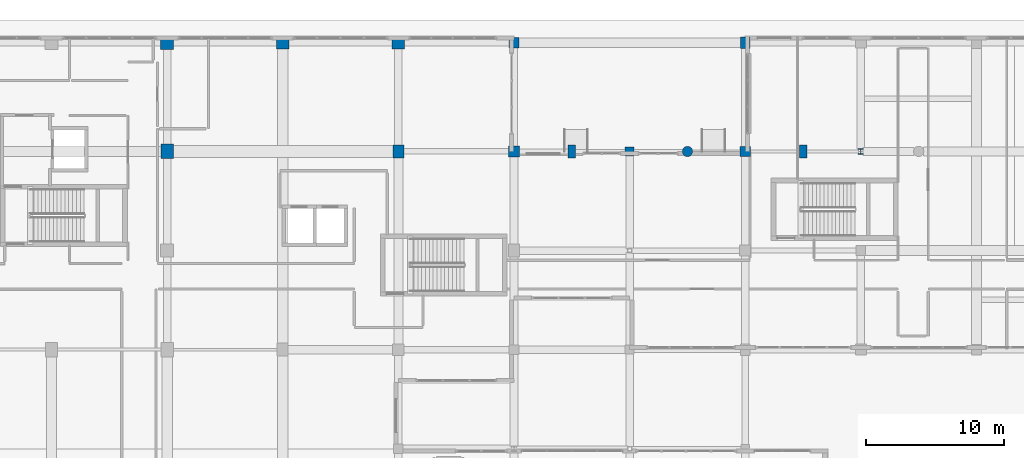
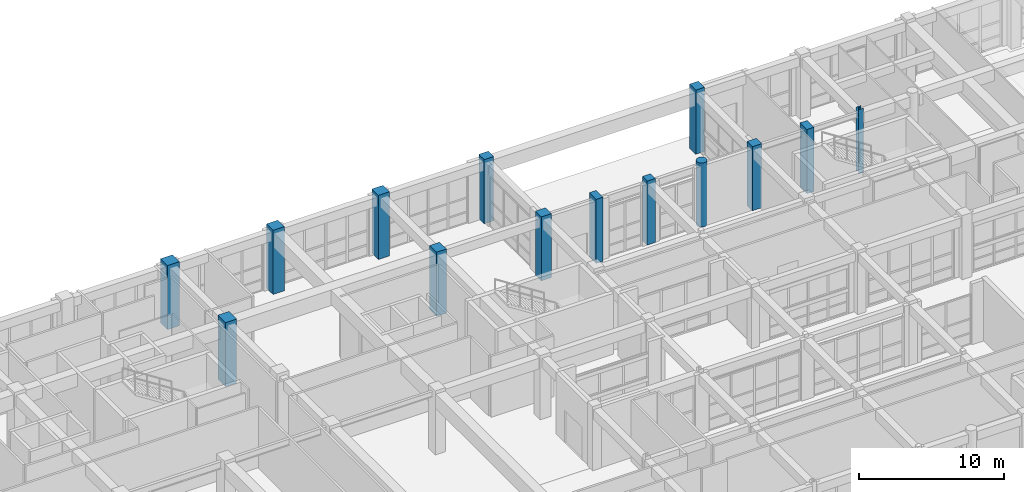
# One storey, part 12 of 148: 14 columns.
"""IFC4 building model written with IfcOpenShell, lengths in metres."""

from ifc_helpers import new_model, si_unit, direction, frame, origin, origin_2d, place, context, subcontext, project, spatial, rectangle, circle, i_section, extrude, material, material_profile, profile_set, type_object, element, save


model = new_model("IFC4")

# Units and contexts
model_context = context("Model", 3, precision=1e-05, world=origin(), true_north=direction((0.0, 1.0)))
body_context = subcontext(model_context, "Body", "Model", "MODEL_VIEW")
ifc_project = project(units=[si_unit("LENGTHUNIT", "METRE"), si_unit("AREAUNIT", "SQUARE_METRE"), si_unit("VOLUMEUNIT", "CUBIC_METRE"), si_unit("PLANEANGLEUNIT", "RADIAN"), si_unit("MASSUNIT", "GRAM", prefix="KILO")], contexts=[model_context])

# Site, building, storey
site_placement = place(None, origin())
site = spatial("IfcSite", under=ifc_project, at=site_placement, CompositionType="ELEMENT")
building_placement = place(site_placement, origin())
building = spatial("IfcBuilding", under=site, at=building_placement, Name="Quendrovan Civic Courthouse", CompositionType="ELEMENT")
storey_placement = place(building_placement, origin())
storey = spatial("IfcBuildingStorey", under=building, at=storey_placement, Name="L01", CompositionType="ELEMENT", Elevation=0.0)

# Columns
ifc_material_1 = material(Name="Precast concrete C45/55", Category="concrete")
ifc_material_profile_1 = material_profile(ifc_material_1, circle(Radius=0.375, at=origin_2d()), Name="RC-ARCADE-D750")
ifc_profile_set_1 = profile_set([ifc_material_profile_1], Name="Precast concrete C45/55")
column_type_1 = type_object("IfcColumnType", Name="COL-ARC750", PredefinedType="PILASTER", material=ifc_profile_set_1)
column_1_placement = place(storey_placement, frame((105.0, 102.0, 0.0), z_axis=(0.0, 0.0, 1.0), x_axis=(1.0, 0.0, 0.0)))
element("IfcColumn", 1, at=column_1_placement, inside=storey, type_object=column_type_1, Name="L01 Column PIL-N4", PredefinedType="PILASTER", context=body_context, shape_type="SweptSolid", body=[
    extrude(circle(Radius=0.375, at=origin_2d()), origin(), (0.0, 0.0, 1.0), 5.39990234375),
])
ifc_material_2 = material(Name="Concrete C45/55", Category="concrete")
ifc_material_profile_2 = material_profile(ifc_material_2, rectangle(XDim=0.550048828125, YDim=0.949951171875, at=origin_2d()), Name="RC-PIER-550x950")
ifc_profile_set_2 = profile_set([ifc_material_profile_2], Name="Concrete C45/55")
column_type_2 = type_object("IfcColumnType", Name="COL-PIER950", PredefinedType="PILASTER", material=ifc_profile_set_2)
for number, where, z_axis, x_axis, name in (
    (2, (96.60009765625, 102.0, 0.0), (0.0, 0.0, 1.0), (1.0, 0.0, 0.0), "L01 Column PIL-N3"),
    (3, (113.39990234375, 102.0, 0.0), (0.0, 0.0, 1.0), (1.0, 0.0, 0.0), "L01 Column PIL-N5"),
):
    element("IfcColumn", number, at=place(storey_placement, frame(where, z_axis=z_axis, x_axis=x_axis)), inside=storey, type_object=column_type_2, Name=name, PredefinedType="PILASTER", context=body_context, shape_type="SweptSolid", body=[
        extrude(rectangle(XDim=0.550048828125, YDim=0.949951171875, at=origin_2d()), origin(), (0.0, 0.0, 1.0), 5.39990234375),
    ])
ifc_material_3 = material(Name="Concrete C40/50", Category="concrete")
ifc_material_profile_3 = material_profile(ifc_material_3, rectangle(XDim=0.699951171875, YDim=0.85009765625, at=origin_2d()), Name="RC-COL-700x850")
ifc_profile_set_3 = profile_set([ifc_material_profile_3], Name="Concrete C40/50")
column_type_3 = type_object("IfcColumnType", Name="COL-RC-700x850", PredefinedType="COLUMN", material=ifc_profile_set_3)
column_2_placement = place(storey_placement, frame((109.199951171875, 109.89990234375, 0.0), z_axis=(0.0, 0.0, 1.0), x_axis=(1.0, 0.0, 0.0)))
element("IfcColumn", 4, at=column_2_placement, inside=storey, type_object=column_type_3, Name="L01 Column 14-Q", PredefinedType="COLUMN", context=body_context, shape_type="SweptSolid", body=[
    extrude(rectangle(XDim=0.699951171875, YDim=0.85009765625, at=origin_2d()), origin(), (0.0, 0.0, 1.0), 5.39990234375),
])
ifc_material_profile_4 = material_profile(ifc_material_2, rectangle(XDim=0.800048828125, YDim=0.949951171875, at=origin_2d()), Name="RC-COL-800x950")
ifc_profile_set_4 = profile_set([ifc_material_profile_4], Name="Concrete C45/55")
column_type_4 = type_object("IfcColumnType", Name="COL-RC-800x950", PredefinedType="COLUMN", material=ifc_profile_set_4)
column_3_placement = place(storey_placement, frame((84.0, 102.0, 0.0), z_axis=(0.0, 0.0, 1.0), x_axis=(1.0, 0.0, 0.0)))
element("IfcColumn", 5, at=column_3_placement, inside=storey, type_object=column_type_4, Name="L01 Column 11-P", PredefinedType="COLUMN", context=body_context, shape_type="SweptSolid", body=[
    extrude(rectangle(XDim=0.800048828125, YDim=0.949951171875, at=origin_2d()), origin(), (0.0, 0.0, 1.0), 5.39990234375),
])
ifc_material_profile_5 = material_profile(ifc_material_2, rectangle(XDim=0.89990234375, YDim=1.050048828125, at=origin_2d()), Name="RC-COL-900x1050")
ifc_profile_set_5 = profile_set([ifc_material_profile_5], Name="Concrete C45/55")
column_type_5 = type_object("IfcColumnType", Name="COL-RC-900x1050", PredefinedType="COLUMN", material=ifc_profile_set_5)
column_4_placement = place(storey_placement, frame((67.199951171875, 102.0, 0.0), z_axis=(0.0, 0.0, 1.0), x_axis=(1.0, 0.0, 0.0)))
element("IfcColumn", 6, at=column_4_placement, inside=storey, type_object=column_type_5, Name="L01 Column 9-P", PredefinedType="COLUMN", context=body_context, shape_type="SweptSolid", body=[
    extrude(rectangle(XDim=0.89990234375, YDim=1.050048828125, at=origin_2d()), origin(), (0.0, 0.0, 1.0), 5.39990234375),
])
ifc_material_profile_6 = material_profile(ifc_material_2, rectangle(XDim=0.64990234375, YDim=0.64990234375, at=origin_2d()), Name="RC-COL-650x650")
ifc_profile_set_6 = profile_set([ifc_material_profile_6], Name="Concrete C45/55")
column_type_6 = type_object("IfcColumnType", Name="COL-RC650", PredefinedType="COLUMN", material=ifc_profile_set_6)
column_5_placement = place(storey_placement, frame((100.800048828125, 102.0, 0.0), z_axis=(0.0, 0.0, 1.0), x_axis=(1.0, 0.0, 0.0)))
element("IfcColumn", 7, at=column_5_placement, inside=storey, type_object=column_type_6, Name="L01 Column 13-P", PredefinedType="COLUMN", context=body_context, shape_type="SweptSolid", body=[
    extrude(rectangle(XDim=0.64990234375, YDim=0.64990234375, at=origin_2d()), origin(), (0.0, 0.0, 1.0), 5.39990234375),
])
ifc_material_profile_7 = material_profile(ifc_material_2, rectangle(XDim=0.75, YDim=0.75, at=origin_2d()), Name="RC-COL-750x750")
ifc_profile_set_7 = profile_set([ifc_material_profile_7], Name="Concrete C45/55")
column_type_7 = type_object("IfcColumnType", Name="COL-RC750", PredefinedType="COLUMN", material=ifc_profile_set_7)
for number, where, z_axis, x_axis, name in (
    (8, (92.39990234375, 109.89990234375, 0.0), (0.0, 0.0, 1.0), (1.0, 0.0, 0.0), "L01 Column 12-Q"),
    (9, (109.199951171875, 102.0, 0.0), (0.0, 0.0, 1.0), (1.0, 0.0, 0.0), "L01 Column 14-P"),
):
    element("IfcColumn", number, at=place(storey_placement, frame(where, z_axis=z_axis, x_axis=x_axis)), inside=storey, type_object=column_type_7, Name=name, PredefinedType="COLUMN", context=body_context, shape_type="SweptSolid", body=[
        extrude(rectangle(XDim=0.75, YDim=0.75, at=origin_2d()), origin(), (0.0, 0.0, 1.0), 5.39990234375),
    ])
ifc_material_profile_8 = material_profile(ifc_material_2, rectangle(XDim=0.800048828125, YDim=0.800048828125, at=origin_2d()), Name="RC-COL-800x800")
ifc_profile_set_8 = profile_set([ifc_material_profile_8], Name="Concrete C45/55")
column_type_8 = type_object("IfcColumnType", Name="COL-RC800", PredefinedType="COLUMN", material=ifc_profile_set_8)
column_6_placement = place(storey_placement, frame((92.39990234375, 102.0, 0.0), z_axis=(0.0, 0.0, 1.0), x_axis=(1.0, 0.0, 0.0)))
element("IfcColumn", 10, at=column_6_placement, inside=storey, type_object=column_type_8, Name="L01 Column 12-P", PredefinedType="COLUMN", context=body_context, shape_type="SweptSolid", body=[
    extrude(rectangle(XDim=0.800048828125, YDim=0.800048828125, at=origin_2d()), origin(), (0.0, 0.0, 1.0), 5.39990234375),
])
ifc_material_profile_9 = material_profile(ifc_material_2, rectangle(XDim=0.89990234375, YDim=0.89990234375, at=origin_2d()), Name="RC-COL-900x900")
ifc_profile_set_9 = profile_set([ifc_material_profile_9], Name="Concrete C45/55")
column_type_9 = type_object("IfcColumnType", Name="COL-RC900", PredefinedType="COLUMN", material=ifc_profile_set_9)
for number, where, z_axis, x_axis, name in (
    (11, (75.60009765625, 109.89990234375, 0.0), (0.0, 0.0, 1.0), (1.0, 0.0, 0.0), "L01 Column 10-Q"),
    (12, (84.0, 109.89990234375, 0.0), (0.0, 0.0, 1.0), (1.0, 0.0, 0.0), "L01 Column 11-Q"),
):
    element("IfcColumn", number, at=place(storey_placement, frame(where, z_axis=z_axis, x_axis=x_axis)), inside=storey, type_object=column_type_9, Name=name, PredefinedType="COLUMN", context=body_context, shape_type="SweptSolid", body=[
        extrude(rectangle(XDim=0.89990234375, YDim=0.89990234375, at=origin_2d()), origin(), (0.0, 0.0, 1.0), 5.39990234375),
    ])
ifc_material_profile_10 = material_profile(ifc_material_2, rectangle(XDim=0.949951171875, YDim=0.949951171875, at=origin_2d()), Name="RC-COL-950x950")
ifc_profile_set_10 = profile_set([ifc_material_profile_10], Name="Concrete C45/55")
column_type_10 = type_object("IfcColumnType", Name="COL-RC950", PredefinedType="COLUMN", material=ifc_profile_set_10)
column_7_placement = place(storey_placement, frame((67.199951171875, 109.89990234375, 0.0), z_axis=(0.0, 0.0, 1.0), x_axis=(1.0, 0.0, 0.0)))
element("IfcColumn", 13, at=column_7_placement, inside=storey, type_object=column_type_10, Name="L01 Column 9-Q", PredefinedType="COLUMN", context=body_context, shape_type="SweptSolid", body=[
    extrude(rectangle(XDim=0.949951171875, YDim=0.949951171875, at=origin_2d()), origin(), (0.0, 0.0, 1.0), 5.39990234375),
])
ifc_material_4 = material(Name="Steel ASTM A992 Grade 50", Category="steel")
ifc_material_profile_11 = material_profile(ifc_material_4, i_section(OverallWidth=0.3740234375, OverallDepth=0.3720703125, WebThickness=0.016357421875, FlangeThickness=0.026123046875, at=origin_2d()), Name="W14X132")
ifc_profile_set_11 = profile_set([ifc_material_profile_11], Name="Steel ASTM A992 Grade 50")
column_type_11 = type_object("IfcColumnType", Name="COL-STL-W14X132", PredefinedType="COLUMN", material=ifc_profile_set_11)
column_8_placement = place(storey_placement, frame((117.60009765625, 102.0, 0.0), z_axis=(0.0, 0.0, 1.0), x_axis=(1.0, 0.0, 0.0)))
element("IfcColumn", 14, at=column_8_placement, inside=storey, type_object=column_type_11, Name="L01 Column 15-P", PredefinedType="COLUMN", context=body_context, shape_type="SweptSolid", body=[
    extrude(i_section(OverallWidth=0.3740234375, OverallDepth=0.3720703125, WebThickness=0.016357421875, FlangeThickness=0.026123046875, at=origin_2d()), origin(), (0.0, 0.0, 1.0), 5.39990234375),
])

save(model, "model.ifc")
